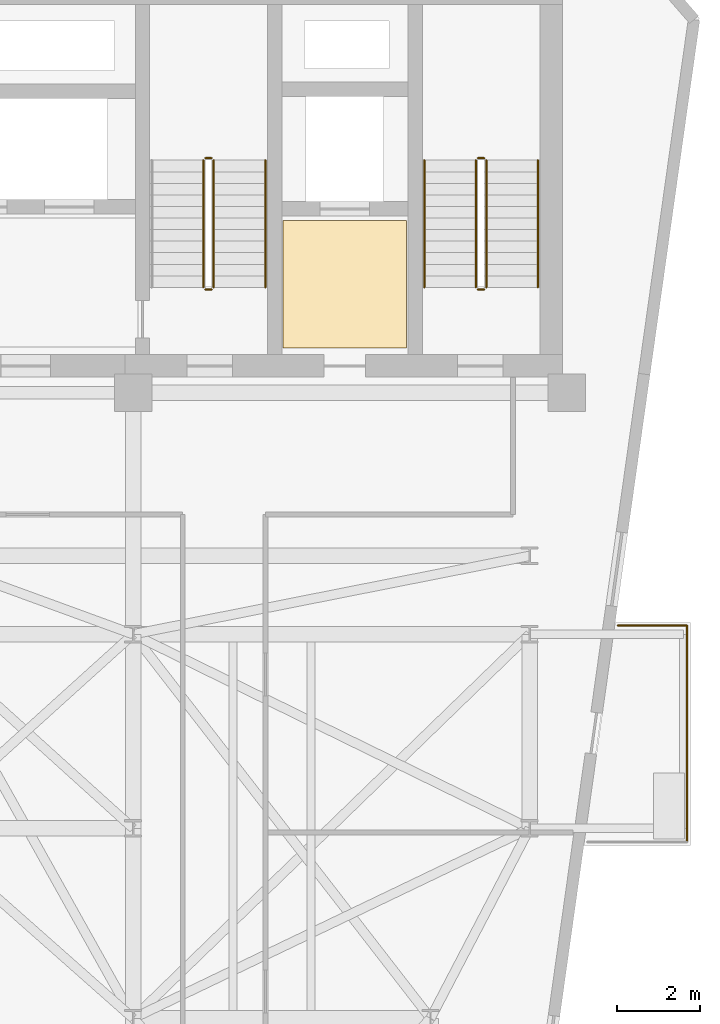
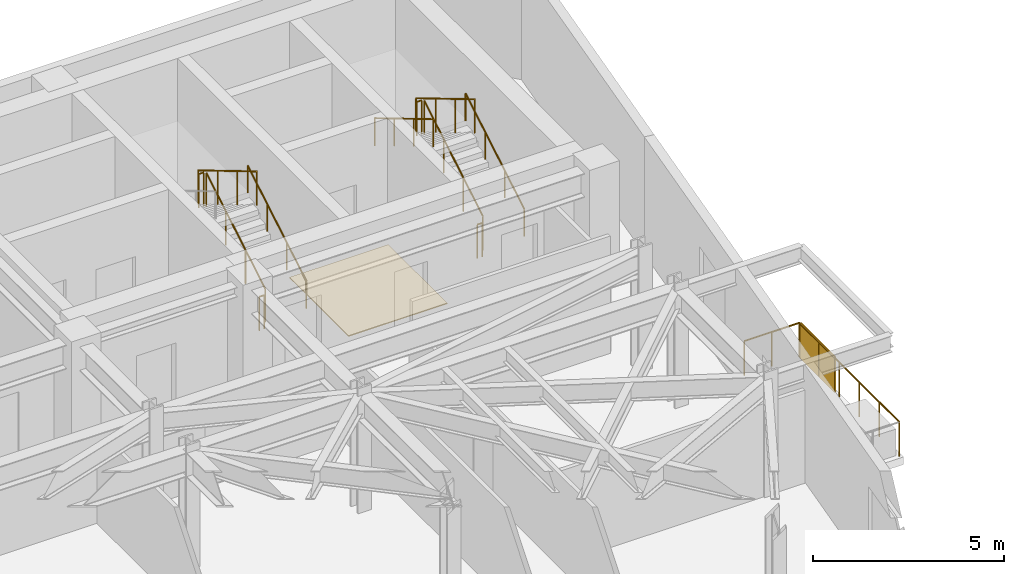
# One storey, part 21 of 21: 13 railings, 1 covering, 1 shading device.
"""IFC4 building model written with IfcOpenShell, lengths in metres."""

from ifc_helpers import new_model, si_unit, direction, frame, origin, origin_2d, place, context, subcontext, project, spatial, polyline, rectangle, circle, outline, extrude, material, layer, layer_set, type_object, element, save


model = new_model("IFC4")

# Units and contexts
model_context = context("Model", 3, precision=1e-05, world=origin(), true_north=direction((0.0, 1.0)))
body_context = subcontext(model_context, "Body", "Model", "MODEL_VIEW")
ifc_project = project(units=[si_unit("LENGTHUNIT", "METRE"), si_unit("AREAUNIT", "SQUARE_METRE"), si_unit("VOLUMEUNIT", "CUBIC_METRE"), si_unit("PLANEANGLEUNIT", "RADIAN"), si_unit("MASSUNIT", "GRAM", prefix="KILO")], contexts=[model_context])

# Site, building, storey
site_placement = place(None, origin())
site = spatial("IfcSite", under=ifc_project, at=site_placement, CompositionType="ELEMENT")
building_placement = place(site_placement, origin())
building = spatial("IfcBuilding", under=site, at=building_placement, Name="Kravanh Interchange Tower", CompositionType="ELEMENT")
storey_placement = place(building_placement, frame((0.0, 0.0, 184.5)))
storey = spatial("IfcBuildingStorey", under=building, at=storey_placement, Name="L44", CompositionType="ELEMENT", Elevation=184.5)

# Covering
ifc_material_1 = material(Name="Cementitious Terrazzo Tile")
ifc_layer_1 = layer(ifc_material_1, 0.030029296875)
ifc_layer_set_1 = layer_set([ifc_layer_1], Name="Honed Terrazzo Lobby Flooring 30mm")
covering_type = type_object("IfcCoveringType", Name="Honed Terrazzo Lobby Flooring 30mm", PredefinedType="FLOORING", material=ifc_layer_set_1)
covering_placement = place(storey_placement, origin())
element("IfcCovering", 1, at=covering_placement, inside=storey, type_object=covering_type, Name="L44 Service Lift Lobby Floor Finish", PredefinedType="FLOORING", context=body_context, shape_type="SweptSolid", body=[
    extrude(outline(polyline([(59.6298828125, 41.52001953125), (62.6201171875, 41.52001953125), (62.6201171875, 38.429931640625), (59.6298828125, 38.429931640625), (59.6298828125, 41.52001953125)])), origin(), (0.0, 0.0, 1.0), 0.030029296875),
])

# Shading device
ifc_material_2 = material(Name="Perforated Anodised Bronze Aluminium", Category="aluminium")
ifc_layer_2 = layer(ifc_material_2, 0.0400390625)
ifc_layer_set_2 = layer_set([ifc_layer_2], Name="Perforated Bronze Balcony Privacy Screen 1150mm")
shading_device_type = type_object("IfcShadingDeviceType", Name="Perforated Bronze Balcony Privacy Screen 1150mm", PredefinedType="USERDEFINED", material=ifc_layer_set_2)
shading_device_placement = place(storey_placement, frame((69.409912109375, 30.739990234375, 0.0), z_axis=(0.0, 0.0, 1.0), x_axis=(1.0, 0.0, 0.0)))
element("IfcShadingDevice", 2, at=shading_device_placement, inside=storey, type_object=shading_device_type, Name="L44 E Perforated Bronze BALCONY SCREEN", ObjectType="SCREEN", PredefinedType="USERDEFINED", context=body_context, shape_type="SweptSolid", body=[
    extrude(rectangle(XDim=0.0400390625, YDim=1.800048828125, at=origin_2d()), origin(), (0.0, 0.0, 1.0), 1.14990234375),
])

# Railings
ifc_material_3 = material(Name="Stainless Steel 316", Category="steel")
ifc_layer_3 = layer(ifc_material_3, 0.06005859375)
ifc_layer_set_3 = layer_set([ifc_layer_3], Name="Perimeter Balcony and Terrace Guardrail Stainless 316 1120mm")
railing_type_1 = type_object("IfcRailingType", Name="Perimeter Balcony and Terrace Guardrail Stainless 316 1120mm", PredefinedType="GUARDRAIL", material=ifc_layer_set_3)
railing_1_placement = place(storey_placement, frame((69.409912109375, 31.7099609375, 0.0)))
element("IfcRailing", 3, at=railing_1_placement, inside=storey, type_object=railing_type_1, Name="L44 E Balcony Guardrail 1", PredefinedType="GUARDRAIL", context=body_context, shape_type="SweptSolid", body=[
    extrude(circle(Radius=0.02392578125, at=origin_2d()), frame((0.0, 0.0, 1.09619140625), z_axis=(0.0, -1.0, 0.0), x_axis=(1.0, 0.0, 0.0)), (0.0, 0.0, 1.0), 5.239990234375),
    extrude(circle(Radius=0.02099609375, at=origin_2d()), origin(), (0.0, 0.0, 1.0), 1.072021484375),
    extrude(circle(Radius=0.02099609375, at=origin_2d()), frame((0.0, -1.048095703125, 0.0)), (0.0, 0.0, 1.0), 1.072021484375),
    extrude(circle(Radius=0.02099609375, at=origin_2d()), frame((0.0, -2.095947265625, 0.0)), (0.0, 0.0, 1.0), 1.072021484375),
    extrude(circle(Radius=0.02099609375, at=origin_2d()), frame((0.0, -3.14404296875, 0.0)), (0.0, 0.0, 1.0), 1.072021484375),
    extrude(circle(Radius=0.02099609375, at=origin_2d()), frame((0.0, -4.19189453125, 0.0)), (0.0, 0.0, 1.0), 1.072021484375),
    extrude(circle(Radius=0.02099609375, at=origin_2d()), frame((0.0, -5.239990234375, 0.0)), (0.0, 0.0, 1.0), 1.072021484375),
])
railing_2_placement = place(storey_placement, frame((67.736083984375, 31.7099609375, 0.0)))
element("IfcRailing", 4, at=railing_2_placement, inside=storey, type_object=railing_type_1, Name="L44 E Balcony Guardrail 3", PredefinedType="GUARDRAIL", context=body_context, shape_type="SweptSolid", body=[
    extrude(circle(Radius=0.02392578125, at=origin_2d()), frame((0.0, 0.0, 1.09619140625), z_axis=(1.0, 0.0, 0.0), x_axis=(0.0, 1.0, 0.0)), (0.0, 0.0, 1.0), 1.673828125),
    extrude(circle(Radius=0.02099609375, at=origin_2d()), origin(), (0.0, 0.0, 1.0), 1.072021484375),
    extrude(circle(Radius=0.02099609375, at=origin_2d()), frame((0.8369140625, 0.0, 0.0)), (0.0, 0.0, 1.0), 1.072021484375),
    extrude(circle(Radius=0.02099609375, at=origin_2d()), frame((1.673828125, 0.0, 0.0)), (0.0, 0.0, 1.0), 1.072021484375),
])
ifc_material_4 = material(Name="Structural Steel S355", Category="steel")
ifc_layer_4 = layer(ifc_material_4, 0.050048828125)
ifc_layer_set_4 = layer_set([ifc_layer_4], Name="Stair Well Guardrail Structural Steel S355 1100mm")
railing_type_2 = type_object("IfcRailingType", Name="Stair Well Guardrail Structural Steel S355 1100mm", PredefinedType="GUARDRAIL", material=ifc_layer_set_4)
railing_3_placement = place(storey_placement, frame((64.550048828125, 39.89990234375, 0.166748046875)))
element("IfcRailing", 5, at=railing_3_placement, inside=storey, type_object=railing_type_2, Name="L44 ST1 stair guard 1", PredefinedType="GUARDRAIL", context=body_context, shape_type="SweptSolid", body=[
    extrude(circle(Radius=0.02392578125, at=origin_2d()), frame((0.0, 0.0, 1.076171875), z_axis=(0.0, 0.859308565015, 0.511457515432), x_axis=(-1.0, 0.0, 0.0)), (0.0, 0.0, 1.0), 3.58447265625),
    extrude(circle(Radius=0.02099609375, at=origin_2d()), origin(), (0.0, 0.0, 1.0), 1.052001953125),
    extrude(circle(Radius=0.02099609375, at=origin_2d()), frame((0.0, 1.026611328125, 0.611083984375)), (0.0, 0.0, 1.0), 1.052001953125),
    extrude(circle(Radius=0.02099609375, at=origin_2d()), frame((0.0, 2.053466796875, 1.22216796875)), (0.0, 0.0, 1.0), 1.052001953125),
    extrude(circle(Radius=0.02099609375, at=origin_2d()), frame((0.0, 3.080078125, 1.833251953125)), (0.0, 0.0, 1.0), 1.052001953125),
])
railing_4_placement = place(storey_placement, frame((64.5, 43.030029296875, 2.0)))
element("IfcRailing", 6, at=railing_4_placement, inside=storey, type_object=railing_type_2, Name="L44 ST1 stair guard 2", PredefinedType="GUARDRAIL", context=body_context, shape_type="SweptSolid", body=[
    extrude(circle(Radius=0.02392578125, at=origin_2d()), frame((0.0, 0.0, 1.076171875), z_axis=(-1.0, 0.0, 0.0), x_axis=(0.0, -1.0, 0.0)), (0.0, 0.0, 1.0), 0.14990234375),
    extrude(circle(Radius=0.02099609375, at=origin_2d()), origin(), (0.0, 0.0, 1.0), 1.052001953125),
    extrude(circle(Radius=0.02099609375, at=origin_2d()), frame((-0.14990234375, 0.0, 0.0)), (0.0, 0.0, 1.0), 1.052001953125),
])
railing_5_placement = place(storey_placement, frame((64.300048828125, 42.97998046875, 2.166748046875)))
element("IfcRailing", 7, at=railing_5_placement, inside=storey, type_object=railing_type_2, Name="L44 ST1 stair guard 3", PredefinedType="GUARDRAIL", context=body_context, shape_type="SweptSolid", body=[
    extrude(circle(Radius=0.02392578125, at=origin_2d()), frame((0.0, 0.0, 1.076171875), z_axis=(0.0, -0.859308565015, 0.511457515432), x_axis=(1.0, 0.0, 0.0)), (0.0, 0.0, 1.0), 3.58447265625),
    extrude(circle(Radius=0.02099609375, at=origin_2d()), origin(), (0.0, 0.0, 1.0), 1.052001953125),
    extrude(circle(Radius=0.02099609375, at=origin_2d()), frame((0.0, -1.026611328125, 0.611083984375)), (0.0, 0.0, 1.0), 1.052001953125),
    extrude(circle(Radius=0.02099609375, at=origin_2d()), frame((0.0, -2.053466796875, 1.22216796875)), (0.0, 0.0, 1.0), 1.052001953125),
    extrude(circle(Radius=0.02099609375, at=origin_2d()), frame((0.0, -3.080078125, 1.833251953125)), (0.0, 0.0, 1.0), 1.052001953125),
])
railing_6_placement = place(storey_placement, frame((64.5, 39.85009765625, 0.0)))
element("IfcRailing", 8, at=railing_6_placement, inside=storey, type_object=railing_type_2, Name="L44 ST1 stair guard 4", PredefinedType="GUARDRAIL", context=body_context, shape_type="SweptSolid", body=[
    extrude(circle(Radius=0.02392578125, at=origin_2d()), frame((0.0, 0.0, 1.076171875), z_axis=(-1.0, 0.0, 0.0), x_axis=(0.0, -1.0, 0.0)), (0.0, 0.0, 1.0), 0.14990234375),
    extrude(circle(Radius=0.02099609375, at=origin_2d()), origin(), (0.0, 0.0, 1.0), 1.052001953125),
    extrude(circle(Radius=0.02099609375, at=origin_2d()), frame((-0.14990234375, 0.0, 0.0)), (0.0, 0.0, 1.0), 1.052001953125),
])
railing_7_placement = place(storey_placement, frame((57.949951171875, 39.89990234375, 0.166748046875)))
element("IfcRailing", 9, at=railing_7_placement, inside=storey, type_object=railing_type_2, Name="L44 ST2 stair guard 1", PredefinedType="GUARDRAIL", context=body_context, shape_type="SweptSolid", body=[
    extrude(circle(Radius=0.02392578125, at=origin_2d()), frame((0.0, 0.0, 1.076171875), z_axis=(0.0, 0.859308565015, 0.511457515432), x_axis=(-1.0, 0.0, 0.0)), (0.0, 0.0, 1.0), 3.58447265625),
    extrude(circle(Radius=0.02099609375, at=origin_2d()), origin(), (0.0, 0.0, 1.0), 1.052001953125),
    extrude(circle(Radius=0.02099609375, at=origin_2d()), frame((0.0, 1.026611328125, 0.611083984375)), (0.0, 0.0, 1.0), 1.052001953125),
    extrude(circle(Radius=0.02099609375, at=origin_2d()), frame((0.0, 2.053466796875, 1.22216796875)), (0.0, 0.0, 1.0), 1.052001953125),
    extrude(circle(Radius=0.02099609375, at=origin_2d()), frame((0.0, 3.080078125, 1.833251953125)), (0.0, 0.0, 1.0), 1.052001953125),
])
railing_8_placement = place(storey_placement, frame((57.89990234375, 43.030029296875, 2.0)))
element("IfcRailing", 10, at=railing_8_placement, inside=storey, type_object=railing_type_2, Name="L44 ST2 stair guard 2", PredefinedType="GUARDRAIL", context=body_context, shape_type="SweptSolid", body=[
    extrude(circle(Radius=0.02392578125, at=origin_2d()), frame((0.0, 0.0, 1.076171875), z_axis=(-1.0, 0.0, 0.0), x_axis=(0.0, -1.0, 0.0)), (0.0, 0.0, 1.0), 0.14990234375),
    extrude(circle(Radius=0.02099609375, at=origin_2d()), origin(), (0.0, 0.0, 1.0), 1.052001953125),
    extrude(circle(Radius=0.02099609375, at=origin_2d()), frame((-0.14990234375, 0.0, 0.0)), (0.0, 0.0, 1.0), 1.052001953125),
])
railing_9_placement = place(storey_placement, frame((57.699951171875, 42.97998046875, 2.166748046875)))
element("IfcRailing", 11, at=railing_9_placement, inside=storey, type_object=railing_type_2, Name="L44 ST2 stair guard 3", PredefinedType="GUARDRAIL", context=body_context, shape_type="SweptSolid", body=[
    extrude(circle(Radius=0.02392578125, at=origin_2d()), frame((0.0, 0.0, 1.076171875), z_axis=(0.0, -0.859308565015, 0.511457515432), x_axis=(1.0, 0.0, 0.0)), (0.0, 0.0, 1.0), 3.58447265625),
    extrude(circle(Radius=0.02099609375, at=origin_2d()), origin(), (0.0, 0.0, 1.0), 1.052001953125),
    extrude(circle(Radius=0.02099609375, at=origin_2d()), frame((0.0, -1.026611328125, 0.611083984375)), (0.0, 0.0, 1.0), 1.052001953125),
    extrude(circle(Radius=0.02099609375, at=origin_2d()), frame((0.0, -2.053466796875, 1.22216796875)), (0.0, 0.0, 1.0), 1.052001953125),
    extrude(circle(Radius=0.02099609375, at=origin_2d()), frame((0.0, -3.080078125, 1.833251953125)), (0.0, 0.0, 1.0), 1.052001953125),
])
railing_10_placement = place(storey_placement, frame((57.89990234375, 39.85009765625, 0.0)))
element("IfcRailing", 12, at=railing_10_placement, inside=storey, type_object=railing_type_2, Name="L44 ST2 stair guard 4", PredefinedType="GUARDRAIL", context=body_context, shape_type="SweptSolid", body=[
    extrude(circle(Radius=0.02392578125, at=origin_2d()), frame((0.0, 0.0, 1.076171875), z_axis=(-1.0, 0.0, 0.0), x_axis=(0.0, -1.0, 0.0)), (0.0, 0.0, 1.0), 0.14990234375),
    extrude(circle(Radius=0.02099609375, at=origin_2d()), origin(), (0.0, 0.0, 1.0), 1.052001953125),
    extrude(circle(Radius=0.02099609375, at=origin_2d()), frame((-0.14990234375, 0.0, 0.0)), (0.0, 0.0, 1.0), 1.052001953125),
])
ifc_material_5 = material(Name="Stainless Steel 304", Category="steel")
ifc_layer_5 = layer(ifc_material_5, 0.044921875)
ifc_layer_set_5 = layer_set([ifc_layer_5], Name="Tubular Stair Handrail Stainless 304 900mm")
railing_type_3 = type_object("IfcRailingType", Name="Tubular Stair Handrail Stainless 304 900mm", PredefinedType="HANDRAIL", material=ifc_layer_set_5)
railing_11_placement = place(storey_placement, frame((65.800048828125, 39.89990234375, 0.166748046875)))
element("IfcRailing", 13, at=railing_11_placement, inside=storey, type_object=railing_type_3, Name="L44 ST1 stair handrail 1", PredefinedType="HANDRAIL", context=body_context, shape_type="SweptSolid", body=[
    extrude(circle(Radius=0.02392578125, at=origin_2d()), frame((0.0, 0.0, 0.8759765625), z_axis=(0.0, 0.859308565015, 0.511457515432), x_axis=(-1.0, 0.0, 0.0)), (0.0, 0.0, 1.0), 3.58447265625),
    extrude(circle(Radius=0.02099609375, at=origin_2d()), origin(), (0.0, 0.0, 1.0), 0.851806640625),
    extrude(circle(Radius=0.02099609375, at=origin_2d()), frame((0.0, 1.026611328125, 0.611083984375)), (0.0, 0.0, 1.0), 0.851806640625),
    extrude(circle(Radius=0.02099609375, at=origin_2d()), frame((0.0, 2.053466796875, 1.22216796875)), (0.0, 0.0, 1.0), 0.851806640625),
    extrude(circle(Radius=0.02099609375, at=origin_2d()), frame((0.0, 3.080078125, 1.833251953125)), (0.0, 0.0, 1.0), 0.851806640625),
])
railing_12_placement = place(storey_placement, frame((63.050048828125, 42.97998046875, 2.166748046875)))
element("IfcRailing", 14, at=railing_12_placement, inside=storey, type_object=railing_type_3, Name="L44 ST1 stair handrail 2", PredefinedType="HANDRAIL", context=body_context, shape_type="SweptSolid", body=[
    extrude(circle(Radius=0.02392578125, at=origin_2d()), frame((0.0, 0.0, 0.8759765625), z_axis=(0.0, -0.859308565015, 0.511457515432), x_axis=(1.0, 0.0, 0.0)), (0.0, 0.0, 1.0), 3.58447265625),
    extrude(circle(Radius=0.02099609375, at=origin_2d()), origin(), (0.0, 0.0, 1.0), 0.851806640625),
    extrude(circle(Radius=0.02099609375, at=origin_2d()), frame((0.0, -1.026611328125, 0.611083984375)), (0.0, 0.0, 1.0), 0.851806640625),
    extrude(circle(Radius=0.02099609375, at=origin_2d()), frame((0.0, -2.053466796875, 1.22216796875)), (0.0, 0.0, 1.0), 0.851806640625),
    extrude(circle(Radius=0.02099609375, at=origin_2d()), frame((0.0, -3.080078125, 1.833251953125)), (0.0, 0.0, 1.0), 0.851806640625),
])
railing_13_placement = place(storey_placement, frame((59.199951171875, 39.89990234375, 0.166748046875)))
element("IfcRailing", 15, at=railing_13_placement, inside=storey, type_object=railing_type_3, Name="L44 ST2 stair handrail 1", PredefinedType="HANDRAIL", context=body_context, shape_type="SweptSolid", body=[
    extrude(circle(Radius=0.02392578125, at=origin_2d()), frame((0.0, 0.0, 0.8759765625), z_axis=(0.0, 0.859308565015, 0.511457515432), x_axis=(-1.0, 0.0, 0.0)), (0.0, 0.0, 1.0), 3.58447265625),
    extrude(circle(Radius=0.02099609375, at=origin_2d()), origin(), (0.0, 0.0, 1.0), 0.851806640625),
    extrude(circle(Radius=0.02099609375, at=origin_2d()), frame((0.0, 1.026611328125, 0.611083984375)), (0.0, 0.0, 1.0), 0.851806640625),
    extrude(circle(Radius=0.02099609375, at=origin_2d()), frame((0.0, 2.053466796875, 1.22216796875)), (0.0, 0.0, 1.0), 0.851806640625),
    extrude(circle(Radius=0.02099609375, at=origin_2d()), frame((0.0, 3.080078125, 1.833251953125)), (0.0, 0.0, 1.0), 0.851806640625),
])

save(model, "model.ifc")
